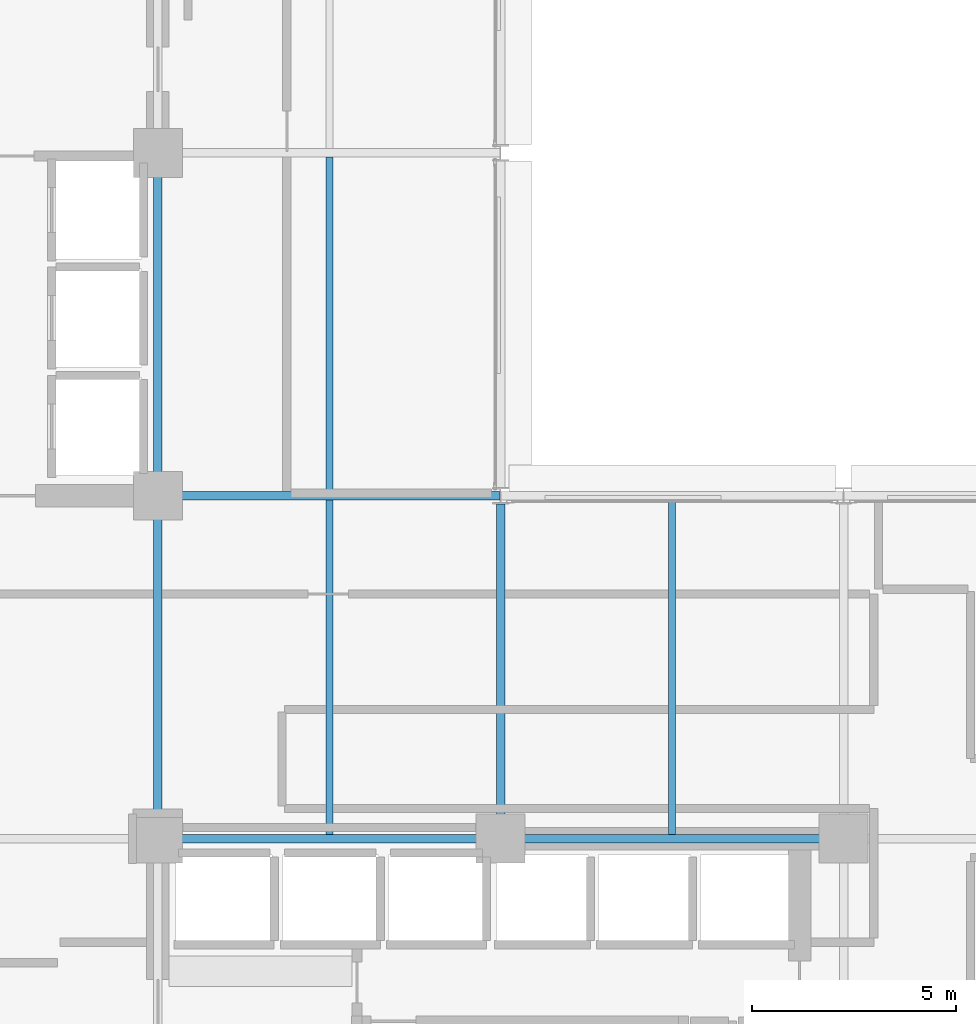
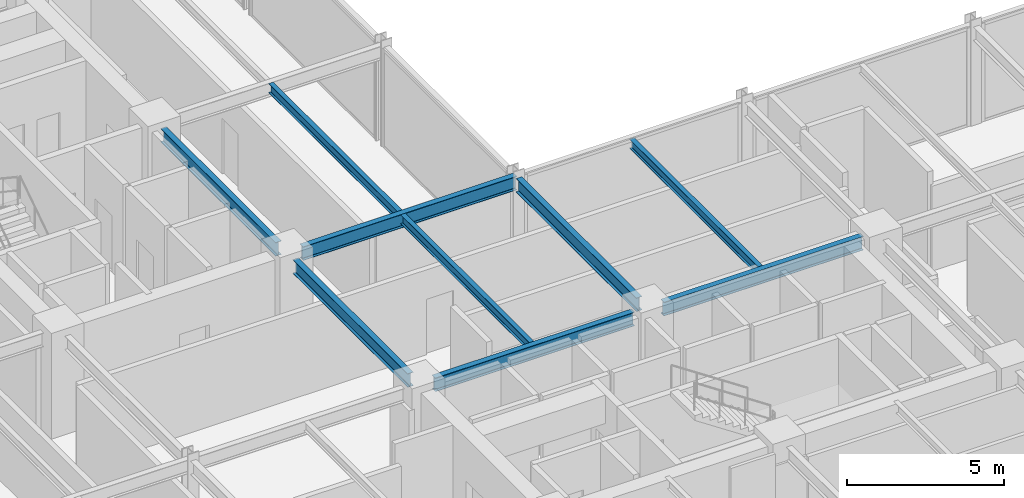
# One storey, part 14 of 39: 9 beams.
"""IFC4 building model written with IfcOpenShell, lengths in metres."""

from ifc_helpers import new_model, si_unit, direction, frame, origin, origin_2d, place, context, subcontext, project, spatial, i_section, extrude, material, material_profile, profile_set, type_object, element, save


model = new_model("IFC4")

# Units and contexts
model_context = context("Model", 3, precision=1e-05, world=origin(), true_north=direction((0.0, 1.0)))
body_context = subcontext(model_context, "Body", "Model", "MODEL_VIEW")
ifc_project = project(units=[si_unit("LENGTHUNIT", "METRE"), si_unit("AREAUNIT", "SQUARE_METRE"), si_unit("VOLUMEUNIT", "CUBIC_METRE"), si_unit("PLANEANGLEUNIT", "RADIAN"), si_unit("MASSUNIT", "GRAM", prefix="KILO")], contexts=[model_context])

# Site, building, storey
site_placement = place(None, origin())
site = spatial("IfcSite", under=ifc_project, at=site_placement, CompositionType="ELEMENT")
building_placement = place(site_placement, origin())
building = spatial("IfcBuilding", under=site, at=building_placement, Name="Nerrivon Quay Data Exchange", CompositionType="ELEMENT")
storey_placement = place(building_placement, frame((0.0, 0.0, 104.89990234375)))
storey = spatial("IfcBuildingStorey", under=building, at=storey_placement, Name="L24", CompositionType="ELEMENT", Elevation=104.89990234375)

# Beams
ifc_material = material(Name="Steel Grade 350", Category="steel")
ifc_material_profile_1 = material_profile(ifc_material, i_section(OverallWidth=0.208984375, OverallDepth=0.532958984375, WebThickness=0.01025390625, FlangeThickness=0.015625, FilletRadius=0.013916015625, at=origin_2d()), Name="530UB92.4")
ifc_profile_set_1 = profile_set([ifc_material_profile_1], Name="Steel Grade 350")
beam_type_1 = type_object("IfcBeamType", Name="BM-G3-530UB92", PredefinedType="BEAM", material=ifc_profile_set_1)
beam_1_placement = place(storey_placement, frame((17.340087890625, 16.800048828125, 3.55859375), z_axis=(1.0, 0.0, 0.0), x_axis=(0.0, 1.0, 0.0)))
element("IfcBeam", 1, at=beam_1_placement, inside=storey, type_object=beam_type_1, Name="L24 EW Girder Y=16.8 (16.8..25.2)", PredefinedType="BEAM", context=body_context, shape_type="SweptSolid", body=[
    extrude(i_section(OverallWidth=0.208984375, OverallDepth=0.532958984375, WebThickness=0.01025390625, FlangeThickness=0.015625, FilletRadius=0.013916015625, at=origin_2d()), origin(), (0.0, 0.0, 1.0), 7.31982421875),
])
beam_2_placement = place(storey_placement, frame((25.739990234375, 16.800048828125, 3.55859375), z_axis=(1.0, 0.0, 0.0), x_axis=(0.0, 1.0, 0.0)))
element("IfcBeam", 2, at=beam_2_placement, inside=storey, type_object=beam_type_1, Name="L24 EW Girder Y=16.8 (25.2..33.6)", PredefinedType="BEAM", context=body_context, shape_type="SweptSolid", body=[
    extrude(i_section(OverallWidth=0.208984375, OverallDepth=0.532958984375, WebThickness=0.01025390625, FlangeThickness=0.015625, FilletRadius=0.013916015625, at=origin_2d()), origin(), (0.0, 0.0, 1.0), 7.320068359375),
])
beam_3_placement = place(storey_placement, frame((17.340087890625, 25.199951171875, 3.55859375), z_axis=(1.0, 0.0, 0.0), x_axis=(0.0, 1.0, 0.0)))
element("IfcBeam", 3, at=beam_3_placement, inside=storey, type_object=beam_type_1, Name="L24 EW Girder Y=25.2 (16.8..25.2)", PredefinedType="BEAM", context=body_context, shape_type="SweptSolid", body=[
    extrude(i_section(OverallWidth=0.208984375, OverallDepth=0.532958984375, WebThickness=0.01025390625, FlangeThickness=0.015625, FilletRadius=0.013916015625, at=origin_2d()), origin(), (0.0, 0.0, 1.0), 7.847412109375),
])
ifc_material_profile_2 = material_profile(ifc_material, i_section(OverallWidth=0.208984375, OverallDepth=0.528076171875, WebThickness=0.009521484375, FlangeThickness=0.01318359375, FilletRadius=0.013916015625, at=origin_2d()), Name="530UB82.0")
ifc_profile_set_2 = profile_set([ifc_material_profile_2], Name="Steel Grade 350")
beam_type_2 = type_object("IfcBeamType", Name="BM-G4-530UB82", PredefinedType="BEAM", material=ifc_profile_set_2)
beam_4_placement = place(storey_placement, frame((16.800048828125, 17.340087890625, 3.56103515625), z_axis=(0.0, 1.0, 0.0), x_axis=(-1.0, 0.0, 0.0)))
element("IfcBeam", 4, at=beam_4_placement, inside=storey, type_object=beam_type_2, Name="L24 NS Girder X=16.8 (16.8..25.2)", PredefinedType="BEAM", context=body_context, shape_type="SweptSolid", body=[
    extrude(i_section(OverallWidth=0.208984375, OverallDepth=0.528076171875, WebThickness=0.009521484375, FlangeThickness=0.01318359375, FilletRadius=0.013916015625, at=origin_2d()), origin(), (0.0, 0.0, 1.0), 7.31982421875),
])
beam_5_placement = place(storey_placement, frame((16.800048828125, 25.739990234375, 3.56103515625), z_axis=(0.0, 1.0, 0.0), x_axis=(-1.0, 0.0, 0.0)))
element("IfcBeam", 5, at=beam_5_placement, inside=storey, type_object=beam_type_2, Name="L24 NS Girder X=16.8 (25.2..33.6)", PredefinedType="BEAM", context=body_context, shape_type="SweptSolid", body=[
    extrude(i_section(OverallWidth=0.208984375, OverallDepth=0.528076171875, WebThickness=0.009521484375, FlangeThickness=0.01318359375, FilletRadius=0.013916015625, at=origin_2d()), origin(), (0.0, 0.0, 1.0), 7.320068359375),
])
beam_6_placement = place(storey_placement, frame((25.199951171875, 17.340087890625, 3.56103515625), z_axis=(0.0, 1.0, 0.0), x_axis=(-1.0, 0.0, 0.0)))
element("IfcBeam", 6, at=beam_6_placement, inside=storey, type_object=beam_type_2, Name="L24 NS Girder X=25.2 (16.8..25.2)", PredefinedType="BEAM", context=body_context, shape_type="SweptSolid", body=[
    extrude(i_section(OverallWidth=0.208984375, OverallDepth=0.528076171875, WebThickness=0.009521484375, FlangeThickness=0.01318359375, FilletRadius=0.013916015625, at=origin_2d()), origin(), (0.0, 0.0, 1.0), 7.659912109375),
])
ifc_material_profile_3 = material_profile(ifc_material, i_section(OverallWidth=0.1708984375, OverallDepth=0.35595703125, WebThickness=0.00732421875, FlangeThickness=0.011474609375, FilletRadius=0.011474609375, at=origin_2d()), Name="360UB50.7")
ifc_profile_set_3 = profile_set([ifc_material_profile_3], Name="Steel Grade 350")
beam_type_3 = type_object("IfcBeamType", Name="BM-J4-360UB51", PredefinedType="JOIST", material=ifc_profile_set_3)
beam_7_placement = place(storey_placement, frame((21.0, 16.904541015625, 3.647216796875), z_axis=(0.0, 1.0, 0.0), x_axis=(-1.0, 0.0, 0.0)))
element("IfcBeam", 7, at=beam_7_placement, inside=storey, type_object=beam_type_3, Name="L24 Secondary Joist X=21.0 (16.8..25.2)", PredefinedType="JOIST", context=body_context, shape_type="SweptSolid", body=[
    extrude(i_section(OverallWidth=0.1708984375, OverallDepth=0.35595703125, WebThickness=0.00732421875, FlangeThickness=0.011474609375, FilletRadius=0.011474609375, at=origin_2d()), origin(), (0.0, 0.0, 1.0), 8.19091796875),
])
beam_8_placement = place(storey_placement, frame((21.0, 25.304443359375, 3.647216796875), z_axis=(0.0, 1.0, 0.0), x_axis=(-1.0, 0.0, 0.0)))
element("IfcBeam", 8, at=beam_8_placement, inside=storey, type_object=beam_type_3, Name="L24 Secondary Joist X=21.0 (25.2..33.6)", PredefinedType="JOIST", context=body_context, shape_type="SweptSolid", body=[
    extrude(i_section(OverallWidth=0.1708984375, OverallDepth=0.35595703125, WebThickness=0.00732421875, FlangeThickness=0.011474609375, FilletRadius=0.011474609375, at=origin_2d()), origin(), (0.0, 0.0, 1.0), 8.191162109375),
])
beam_9_placement = place(storey_placement, frame((29.39990234375, 16.904541015625, 3.647216796875), z_axis=(0.0, 1.0, 0.0), x_axis=(-1.0, 0.0, 0.0)))
element("IfcBeam", 9, at=beam_9_placement, inside=storey, type_object=beam_type_3, Name="L24 Secondary Joist X=29.4 (16.8..25.2)", PredefinedType="JOIST", context=body_context, shape_type="SweptSolid", body=[
    extrude(i_section(OverallWidth=0.1708984375, OverallDepth=0.35595703125, WebThickness=0.00732421875, FlangeThickness=0.011474609375, FilletRadius=0.011474609375, at=origin_2d()), origin(), (0.0, 0.0, 1.0), 8.19091796875),
])

save(model, "model.ifc")
